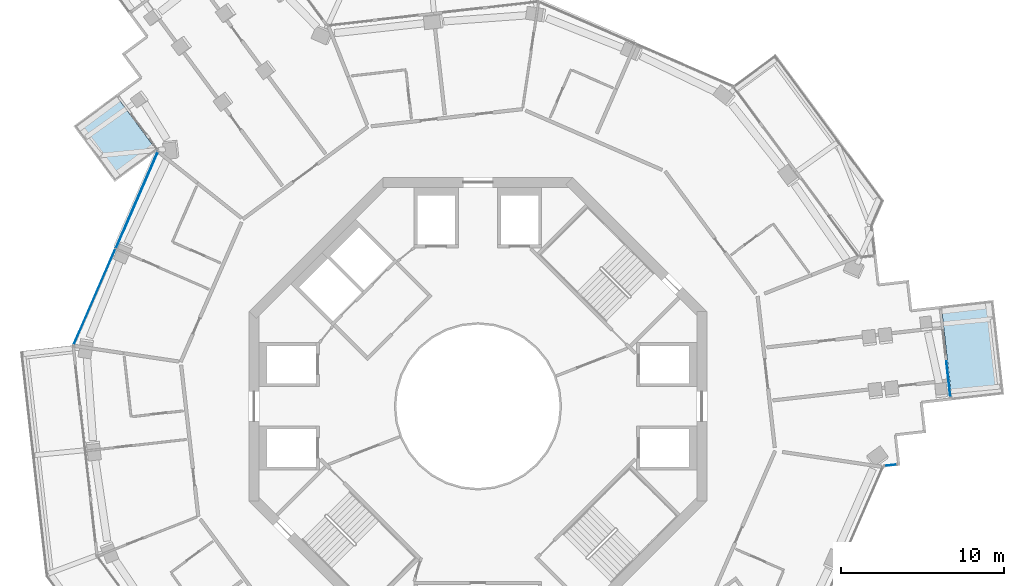
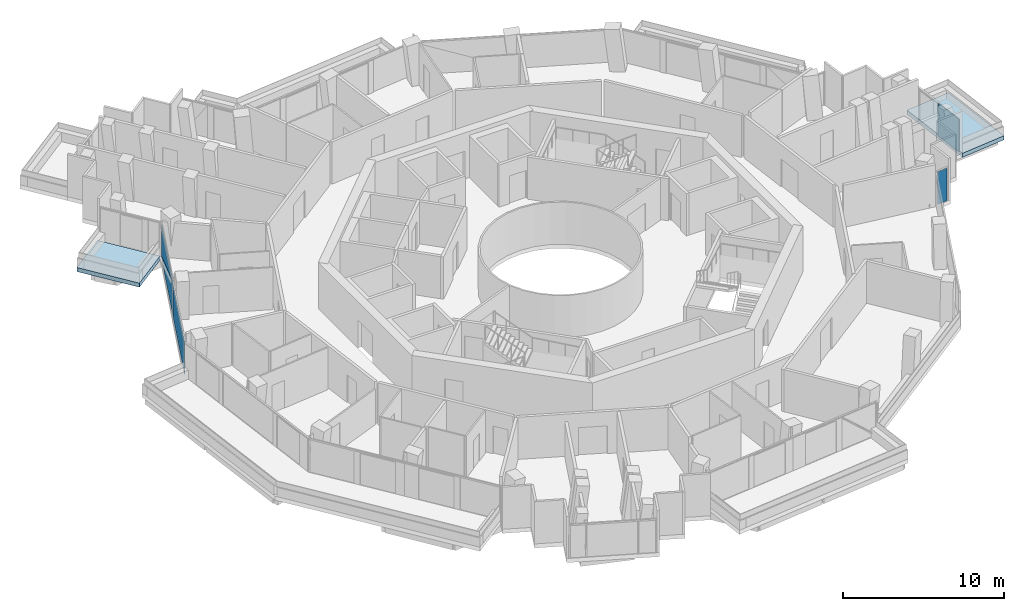
# One storey, part 13 of 23: 5 plates, 2 slabs, 3 elements without a shape of their own.
"""IFC4 building model written with IfcOpenShell, lengths in metres."""

from ifc_helpers import new_model, si_unit, direction, frame, origin, origin_2d, place, context, subcontext, project, spatial, polyline, rectangle, outline, extrude, material, layer, layer_set, type_object, element, aggregate, save


model = new_model("IFC4")

# Units and contexts
model_context = context("Model", 3, precision=1e-05, world=origin(), true_north=direction((0.0, 1.0)))
body_context = subcontext(model_context, "Body", "Model", "MODEL_VIEW")
ifc_project = project(units=[si_unit("LENGTHUNIT", "METRE"), si_unit("AREAUNIT", "SQUARE_METRE"), si_unit("VOLUMEUNIT", "CUBIC_METRE"), si_unit("PLANEANGLEUNIT", "RADIAN"), si_unit("MASSUNIT", "GRAM", prefix="KILO")], contexts=[model_context])

# Site, building, storey
site_placement = place(None, origin())
site = spatial("IfcSite", under=ifc_project, at=site_placement, CompositionType="ELEMENT")
building_placement = place(site_placement, origin())
building = spatial("IfcBuilding", under=site, at=building_placement, Name="Verdalira Terraces Hotel", CompositionType="ELEMENT")
storey_placement = place(building_placement, frame((0.0, 0.0, 183.5)))
storey = spatial("IfcBuildingStorey", under=building, at=storey_placement, Name="L44", CompositionType="ELEMENT", Elevation=183.5)

# Slabs
ifc_material_1 = material(Name="Precast concrete C40/50", Category="concrete")
ifc_layer_1 = layer(ifc_material_1, 0.31005859375)
ifc_layer_set_1 = layer_set([ifc_layer_1], Name="Balcony deck 310")
slab_type = type_object("IfcSlabType", Name="Balcony deck 310", PredefinedType="FLOOR", material=ifc_layer_set_1)
slab_1_placement = place(storey_placement, frame((0.0, 0.0, -0.310059)))
element("IfcSlab", 1, at=slab_1_placement, inside=storey, type_object=slab_type, Name="Balcony deck", PredefinedType="FLOOR", context=body_context, shape_type="SweptSolid", body=[
    extrude(outline(polyline([(-22.221924, 13.738281), (-19.648926, 15.640625), (-22.168701, 19.04834), (-24.741699, 17.145996), (-22.221924, 13.738281)])), origin(), (0.0, 0.0, 1.0), 0.310059),
])
slab_2_placement = place(storey_placement, frame((0.0, 0.0, -0.310059)))
element("IfcSlab", 2, at=slab_2_placement, inside=storey, type_object=slab_type, Name="Balcony deck", PredefinedType="FLOOR", context=body_context, shape_type="SweptSolid", body=[
    extrude(outline(polyline([(31.526123, 6.499512), (28.34668, 6.138428), (29.001221, 0.375488), (32.180908, 0.736572), (31.526123, 6.499512)])), origin(), (0.0, 0.0, 1.0), 0.310059),
])

# Curtain wall, plates
ifc_material_2 = material(Name="Clear glass", Category="glass")
ifc_layer_2 = layer(ifc_material_2, 0.14990234375)
ifc_layer_set_2 = layer_set([ifc_layer_2], Name="CW1 curtain wall")
curtain_wall_type_1 = type_object("IfcCurtainWallType", Name="CW1 curtain wall", PredefinedType="NOTDEFINED", material=ifc_layer_set_2)
curtain_wall_1_placement = place(storey_placement, origin())
curtain_wall_1 = element("IfcCurtainWall", 3, at=curtain_wall_1_placement, inside=storey, type_object=curtain_wall_type_1, Name="CW1 curtain wall L44 edge 11", PredefinedType="NOTDEFINED")
ifc_material_3 = material(Name="Clear glass", Category="glass")
ifc_layer_3 = layer(ifc_material_3, 0.028076171875)
ifc_layer_set_3 = layer_set([ifc_layer_3], Name="CW1 glass unit 28")
plate_type_1 = type_object("IfcPlateType", Name="CW1 glass unit 28", PredefinedType="CURTAIN_PANEL", material=ifc_layer_set_3)
plate_1_placement = place(storey_placement, frame((-20.870361, 12.611328, 1.237549), z_axis=(-0.916920829, 0.399069159, 0.0), x_axis=(-0.399069159, -0.916920829, 0.0)))
plate_1 = element("IfcPlate", 4, at=plate_1_placement, type_object=plate_type_1, Name="CW1 glass unit", PredefinedType="CURTAIN_PANEL", context=body_context, shape_type="SweptSolid", body=[
    extrude(outline(polyline([(-3.205078, -1.237549), (3.205078, -1.237549), (3.205078, 1.237549), (-3.205078, -1.237549)])), origin(), (0.0, 0.0, 1.0), 0.028076),
])
plate_2_placement = place(storey_placement, frame((-20.84375, 12.599854, 1.237549), z_axis=(-0.916920829, 0.399069159, 0.0), x_axis=(-0.399069159, -0.916920829, 0.0)))
plate_2 = element("IfcPlate", 5, at=plate_2_placement, type_object=plate_type_1, Name="CW1 glass unit", PredefinedType="CURTAIN_PANEL", context=body_context, shape_type="SweptSolid", body=[
    extrude(outline(polyline([(-3.205078, -1.237549), (3.205078, 1.237549), (-3.205078, 1.237549), (-3.205078, -1.237549)])), origin(), (0.0, 0.0, 1.0), 0.028076),
])
plate_3_placement = place(storey_placement, frame((-23.457275, 6.703125, 0.0), z_axis=(0.0, 0.0, 1.0), x_axis=(-0.399069159, -0.916920829, 0.0)))
plate_3 = element("IfcPlate", 6, at=plate_3_placement, type_object=plate_type_1, Name="CW1 glass unit", PredefinedType="CURTAIN_PANEL", context=body_context, shape_type="SweptSolid", body=[
    extrude(rectangle(XDim=6.369873, YDim=0.028076, at=origin_2d()), origin(), (0.0, 0.0, 1.0), 2.475098),
])
aggregate(curtain_wall_1, [plate_1, plate_2, plate_3])

# Curtain wall, plate
ifc_material_4 = material(Name="Clear glass", Category="glass")
ifc_layer_4 = layer(ifc_material_4, 0.14990234375)
ifc_layer_set_4 = layer_set([ifc_layer_4], Name="CW2 curtain wall")
curtain_wall_type_2 = type_object("IfcCurtainWallType", Name="CW2 curtain wall", PredefinedType="NOTDEFINED", material=ifc_layer_set_4)
curtain_wall_2_placement = place(storey_placement, origin())
curtain_wall_2 = element("IfcCurtainWall", 7, at=curtain_wall_2_placement, inside=storey, type_object=curtain_wall_type_2, Name="CW2 curtain wall L44 edge 28", PredefinedType="NOTDEFINED")
ifc_material_5 = material(Name="Clear glass", Category="glass")
ifc_layer_5 = layer(ifc_material_5, 0.031982421875)
ifc_layer_set_5 = layer_set([ifc_layer_5], Name="CW2 glass unit 32")
plate_type_2 = type_object("IfcPlateType", Name="CW2 glass unit 32", PredefinedType="CURTAIN_PANEL", material=ifc_layer_set_5)
plate_4_placement = place(storey_placement, frame((25.250732, -3.598389, 0.0), z_axis=(0.0, 0.0, 1.0), x_axis=(0.993611311, 0.112856385, 0.0)))
plate_4 = element("IfcPlate", 8, at=plate_4_placement, type_object=plate_type_2, Name="CW2 glass unit", PredefinedType="CURTAIN_PANEL", context=body_context, shape_type="SweptSolid", body=[
    extrude(rectangle(XDim=0.709961, YDim=0.031982, at=origin_2d()), origin(), (0.0, 0.0, 1.0), 2.475098),
])
aggregate(curtain_wall_2, [plate_4])

ifc_material_6 = material(Name="Clear glass", Category="glass")
ifc_layer_6 = layer(ifc_material_6, 0.14990234375)
ifc_layer_set_6 = layer_set([ifc_layer_6], Name="CW3 curtain wall")
curtain_wall_type_3 = type_object("IfcCurtainWallType", Name="CW3 curtain wall", PredefinedType="NOTDEFINED", material=ifc_layer_set_6)
curtain_wall_3_placement = place(storey_placement, origin())
curtain_wall_3 = element("IfcCurtainWall", 9, at=curtain_wall_3_placement, inside=storey, type_object=curtain_wall_type_3, Name="CW3 curtain wall L44 edge 33", PredefinedType="NOTDEFINED")
ifc_material_7 = material(Name="Clear glass", Category="glass")
ifc_layer_7 = layer(ifc_material_7, 0.035888671875)
ifc_layer_set_7 = layer_set([ifc_layer_7], Name="CW3 glass unit 36")
plate_type_3 = type_object("IfcPlateType", Name="CW3 glass unit 36", PredefinedType="CURTAIN_PANEL", material=ifc_layer_set_7)
plate_5_placement = place(storey_placement, frame((28.777832, 1.678467, 0.0), z_axis=(0.0, 0.0, 1.0), x_axis=(-0.112856385, 0.993611311, 0.0)))
plate_5 = element("IfcPlate", 10, at=plate_5_placement, type_object=plate_type_3, Name="CW3 glass unit", PredefinedType="CURTAIN_PANEL", context=body_context, shape_type="SweptSolid", body=[
    extrude(rectangle(XDim=2.179932, YDim=0.035889, at=origin_2d()), origin(), (0.0, 0.0, 1.0), 2.475098),
])
aggregate(curtain_wall_3, [plate_5])

save(model, "model.ifc")
